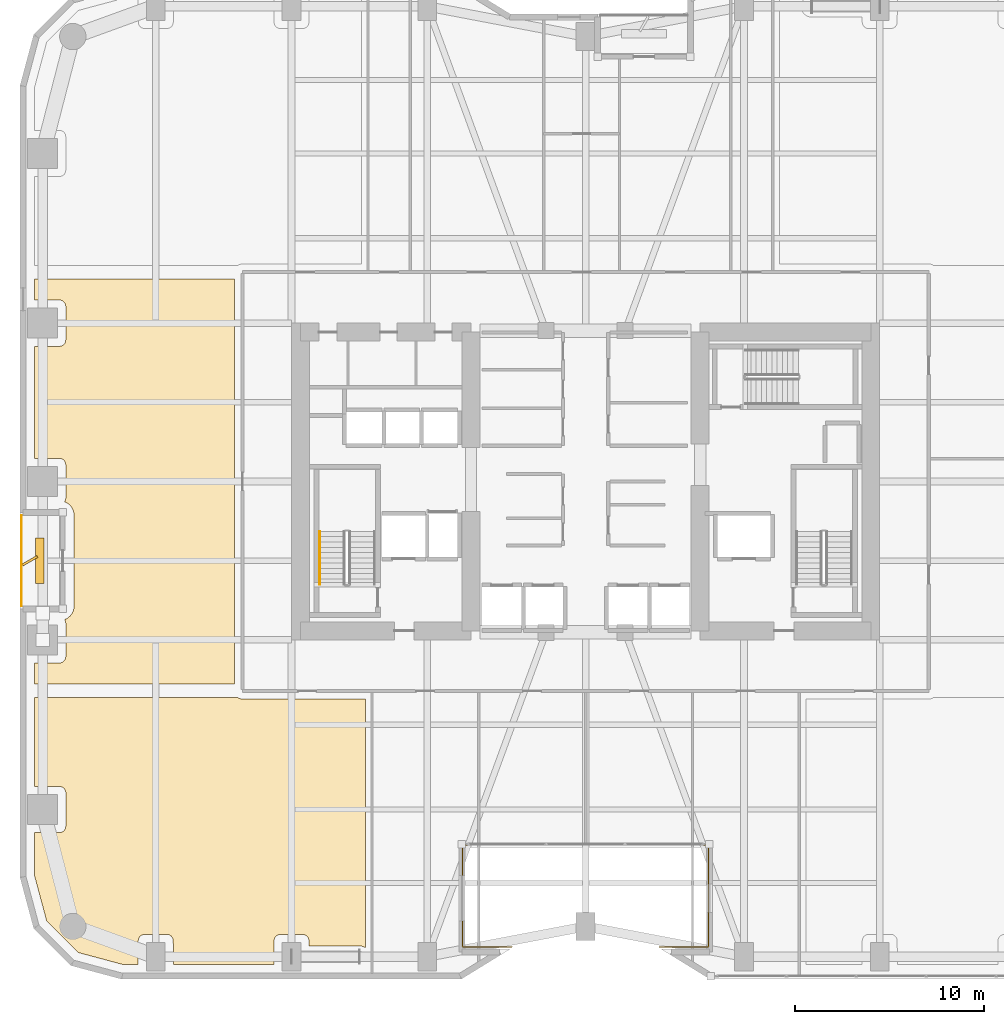
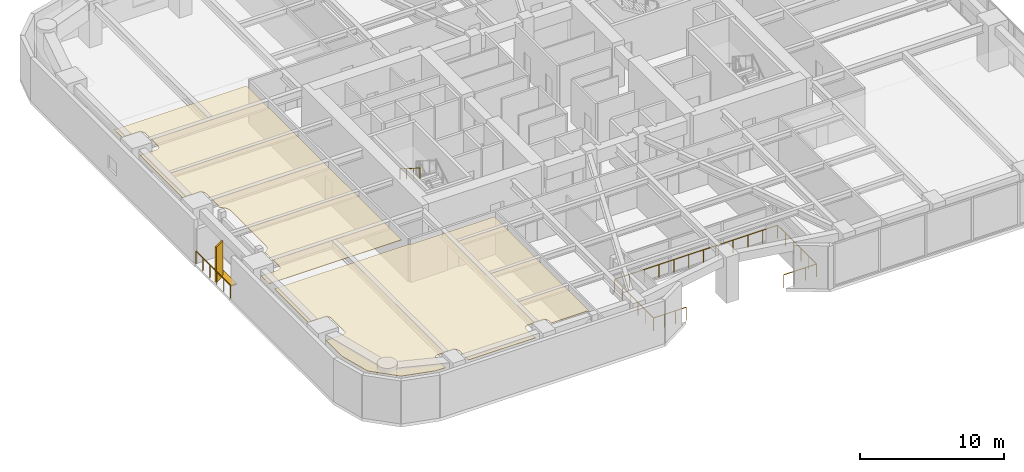
# One storey, part 23 of 26: 3 railings, 2 coverings, 2 shading devices.
"""IFC4 building model written with IfcOpenShell, lengths in metres."""

from ifc_helpers import new_model, si_unit, direction, frame, origin, origin_2d, place, context, subcontext, project, spatial, polyline, rectangle, outline, extrude, material, layer, layer_set, type_object, element, save


model = new_model("IFC4")

# Units and contexts
model_context = context("Model", 3, precision=1e-05, world=origin(), true_north=direction((0.0, 1.0)))
body_context = subcontext(model_context, "Body", "Model", "MODEL_VIEW")
ifc_project = project(units=[si_unit("LENGTHUNIT", "METRE"), si_unit("AREAUNIT", "SQUARE_METRE"), si_unit("VOLUMEUNIT", "CUBIC_METRE"), si_unit("PLANEANGLEUNIT", "RADIAN"), si_unit("MASSUNIT", "GRAM", prefix="KILO")], contexts=[model_context])

# Site, building, storey
site_placement = place(None, origin())
site = spatial("IfcSite", under=ifc_project, at=site_placement, CompositionType="ELEMENT")
building_placement = place(site_placement, origin())
building = spatial("IfcBuilding", under=site, at=building_placement, Name="Kiyonajd Concourse Tower", CompositionType="ELEMENT")
storey_placement = place(building_placement, frame((0.0, 0.0, 72.89990234375)))
storey = spatial("IfcBuildingStorey", under=building, at=storey_placement, Name="L19", CompositionType="ELEMENT", Elevation=72.89990234375)

# Coverings
ifc_material_1 = material(Name="Natural Oak Acoustic Timber Veneer", Category="wood")
ifc_layer = layer(ifc_material_1, 0.0400390625)
ifc_layer_set = layer_set([ifc_layer], Name="Natural Oak Acoustic Timber Veneer")
covering_type = type_object("IfcCoveringType", Name="CV-CLG-ACST", PredefinedType="CEILING", material=ifc_layer_set)
covering_1_placement = place(storey_placement, frame((0.0, 0.0, 3.460205078125)))
element("IfcCovering", 1, at=covering_1_placement, inside=storey, type_object=covering_type, Name="L19-41 Room Acoustic Ceiling", PredefinedType="CEILING", context=body_context, shape_type="SweptSolid", body=[
    extrude(outline(polyline([(19.4140625, 12.697998046875), (18.77001953125, 15.10107421875), (18.77001953125, 17.3701171875), (20.114013671875, 17.3720703125), (20.181884765625, 17.385009765625), (20.2451171875, 17.410888671875), (20.302001953125, 17.448974609375), (20.35107421875, 17.498046875), (20.388916015625, 17.554931640625), (20.4150390625, 17.617919921875), (20.429931640625, 17.719970703125), (20.427978515625, 19.513916015625), (20.403076171875, 19.614013671875), (20.35107421875, 19.701904296875), (20.302001953125, 19.7509765625), (20.2451171875, 19.7890625), (20.14794921875, 19.822998046875), (20.080078125, 19.830078125), (18.77001953125, 19.830078125), (18.77001953125, 24.5400390625), (29.552001953125, 24.5400390625), (29.60693359375, 24.506103515625), (29.669921875, 24.47998046875), (29.800048828125, 24.4599609375), (36.320068359375, 24.4599609375), (36.320068359375, 11.27099609375), (36.27001953125, 11.302001953125), (36.166015625, 11.345947265625), (36.02197265625, 11.368896484375), (33.330078125, 11.3701171875), (33.327880859375, 11.6640625), (33.302978515625, 11.763916015625), (33.27099609375, 11.823974609375), (33.22705078125, 11.876953125), (33.174072265625, 11.9208984375), (33.114013671875, 11.952880859375), (33.048095703125, 11.972900390625), (32.97998046875, 11.97998046875), (31.785888671875, 11.97802734375), (31.68603515625, 11.952880859375), (31.597900390625, 11.90087890625), (31.549072265625, 11.85205078125), (31.510986328125, 11.794921875), (31.47705078125, 11.697998046875), (31.469970703125, 11.6298828125), (31.469970703125, 10.3701171875), (26.1298828125, 10.3701171875), (26.1279296875, 11.6640625), (26.114990234375, 11.73193359375), (26.089111328125, 11.794921875), (26.027099609375, 11.876953125), (25.945068359375, 11.93896484375), (25.882080078125, 11.965087890625), (25.81396484375, 11.97802734375), (24.5859375, 11.97802734375), (24.486083984375, 11.952880859375), (24.39794921875, 11.90087890625), (24.34912109375, 11.85205078125), (24.31103515625, 11.794921875), (24.277099609375, 11.697998046875), (24.27001953125, 11.6298828125), (24.27001953125, 10.3701171875), (23.5009765625, 10.3701171875), (21.097900390625, 11.013916015625), (19.4140625, 12.697998046875)])), origin(), (0.0, 0.0, 1.0), 0.039794921875),
])
covering_2_placement = place(storey_placement, frame((0.0, 0.0, 3.460205078125)))
element("IfcCovering", 2, at=covering_2_placement, inside=storey, type_object=covering_type, Name="L19-55 Room Acoustic Ceiling", PredefinedType="CEILING", context=body_context, shape_type="SweptSolid", body=[
    extrude(outline(polyline([(20.367919921875, 28.678955078125), (20.5, 28.742919921875), (20.572021484375, 28.7919921875), (20.656982421875, 28.867919921875), (20.7080078125, 28.927978515625), (20.757080078125, 29.0), (20.80810546875, 29.095947265625), (20.842041015625, 29.193115234375), (20.864013671875, 29.30810546875), (20.8701171875, 34.199951171875), (20.860107421875, 34.31591796875), (20.842041015625, 34.406982421875), (20.80810546875, 34.50390625), (20.757080078125, 34.60009765625), (20.68505859375, 34.700927734375), (20.60107421875, 34.784912109375), (20.5390625, 34.83203125), (20.367919921875, 34.9208984375), (20.4150390625, 35.01806640625), (20.429931640625, 35.1201171875), (20.429931640625, 36.8798828125), (20.4150390625, 36.98193359375), (20.37109375, 37.073974609375), (20.302001953125, 37.15087890625), (20.2451171875, 37.18896484375), (20.181884765625, 37.215087890625), (20.114013671875, 37.22802734375), (18.77001953125, 37.22998046875), (18.77001953125, 43.169921875), (20.114013671875, 43.172119140625), (20.181884765625, 43.18505859375), (20.2451171875, 43.2109375), (20.302001953125, 43.2490234375), (20.35107421875, 43.298095703125), (20.388916015625, 43.35498046875), (20.4150390625, 43.41796875), (20.429931640625, 43.52001953125), (20.427978515625, 45.31396484375), (20.403076171875, 45.4140625), (20.35107421875, 45.501953125), (20.302001953125, 45.551025390625), (20.2451171875, 45.589111328125), (20.14794921875, 45.623046875), (20.080078125, 45.6298828125), (18.77001953125, 45.6298828125), (18.77001953125, 46.739990234375), (29.3701171875, 46.739990234375), (29.3701171875, 25.260009765625), (18.77001953125, 25.260009765625), (18.77001953125, 26.3701171875), (20.114013671875, 26.3720703125), (20.214111328125, 26.39697265625), (20.302001953125, 26.448974609375), (20.35107421875, 26.498046875), (20.403076171875, 26.5859375), (20.423095703125, 26.652099609375), (20.429931640625, 26.719970703125), (20.429931640625, 28.47998046875), (20.4150390625, 28.58203125), (20.367919921875, 28.678955078125)])), origin(), (0.0, 0.0, 1.0), 0.039794921875),
])

# Railings
ifc_material_2 = material(Name="Thermally Broken Anodised Aluminium", Category="aluminium")
railing_type_1 = type_object("IfcRailingType", Name="RL-BAL-1100", PredefinedType="BALUSTRADE", material=ifc_material_2)
railing_1_placement = place(storey_placement, frame((44.10009765625, 11.320068359375, 0.0)))
element("IfcRailing", 3, at=railing_1_placement, inside=storey, type_object=railing_type_1, Name="L19 South Ribbon Sky Garden Upper Overlook Balustrade", PredefinedType="BALUSTRADE", context=body_context, shape_type="SweptSolid", body=[
    extrude(rectangle(XDim=0.048095703125, YDim=0.048095703125, at=origin_2d()), frame((0.0, 0.0, 1.09619140625), z_axis=(-1.0, 0.0, 0.0), x_axis=(0.0, -1.0, 0.0)), (0.0, 0.0, 1.0), 2.6201171875),
    extrude(rectangle(XDim=0.048095703125, YDim=0.048095703125, at=origin_2d()), frame((-2.6201171875, 0.0, 1.09619140625), z_axis=(0.0, 1.0, 0.0), x_axis=(-1.0, 0.0, 0.0)), (0.0, 0.0, 1.0), 5.39990234375),
    extrude(rectangle(XDim=0.048095703125, YDim=0.048095703125, at=origin_2d()), frame((-2.6201171875, 5.39990234375, 1.09619140625), z_axis=(1.0, 0.0, 0.0), x_axis=(0.0, 1.0, 0.0)), (0.0, 0.0, 1.0), 13.0400390625),
    extrude(rectangle(XDim=0.048095703125, YDim=0.048095703125, at=origin_2d()), frame((10.419921875, 5.39990234375, 1.09619140625), z_axis=(0.0, -1.0, 0.0), x_axis=(1.0, 0.0, 0.0)), (0.0, 0.0, 1.0), 5.39990234375),
    extrude(rectangle(XDim=0.048095703125, YDim=0.048095703125, at=origin_2d()), frame((10.419921875, 0.0, 1.09619140625), z_axis=(-1.0, 0.0, 0.0), x_axis=(0.0, -1.0, 0.0)), (0.0, 0.0, 1.0), 2.6201171875),
    extrude(rectangle(XDim=0.0419921875, YDim=0.0419921875, at=origin_2d()), origin(), (0.0, 0.0, 1.0), 1.072021484375),
    extrude(rectangle(XDim=0.0419921875, YDim=0.0419921875, at=origin_2d()), frame((-0.873291015625, 0.0, 0.0)), (0.0, 0.0, 1.0), 1.072021484375),
    extrude(rectangle(XDim=0.0419921875, YDim=0.0419921875, at=origin_2d()), frame((-1.746826171875, 0.0, 0.0)), (0.0, 0.0, 1.0), 1.072021484375),
    extrude(rectangle(XDim=0.0419921875, YDim=0.0419921875, at=origin_2d()), frame((-2.6201171875, 0.0, 0.0)), (0.0, 0.0, 1.0), 1.072021484375),
    extrude(rectangle(XDim=0.0419921875, YDim=0.0419921875, at=origin_2d()), frame((-2.6201171875, 1.080078125, 0.0)), (0.0, 0.0, 1.0), 1.072021484375),
    extrude(rectangle(XDim=0.0419921875, YDim=0.0419921875, at=origin_2d()), frame((-2.6201171875, 2.159912109375, 0.0)), (0.0, 0.0, 1.0), 1.072021484375),
    extrude(rectangle(XDim=0.0419921875, YDim=0.0419921875, at=origin_2d()), frame((-2.6201171875, 3.239990234375, 0.0)), (0.0, 0.0, 1.0), 1.072021484375),
    extrude(rectangle(XDim=0.0419921875, YDim=0.0419921875, at=origin_2d()), frame((-2.6201171875, 4.31982421875, 0.0)), (0.0, 0.0, 1.0), 1.072021484375),
    extrude(rectangle(XDim=0.0419921875, YDim=0.0419921875, at=origin_2d()), frame((-2.6201171875, 5.39990234375, 0.0)), (0.0, 0.0, 1.0), 1.072021484375),
    extrude(rectangle(XDim=0.0419921875, YDim=0.0419921875, at=origin_2d()), frame((-1.4345703125, 5.39990234375, 0.0)), (0.0, 0.0, 1.0), 1.072021484375),
    extrude(rectangle(XDim=0.0419921875, YDim=0.0419921875, at=origin_2d()), frame((-0.249267578125, 5.39990234375, 0.0)), (0.0, 0.0, 1.0), 1.072021484375),
    extrude(rectangle(XDim=0.0419921875, YDim=0.0419921875, at=origin_2d()), frame((0.936279296875, 5.39990234375, 0.0)), (0.0, 0.0, 1.0), 1.072021484375),
    extrude(rectangle(XDim=0.0419921875, YDim=0.0419921875, at=origin_2d()), frame((2.121826171875, 5.39990234375, 0.0)), (0.0, 0.0, 1.0), 1.072021484375),
    extrude(rectangle(XDim=0.0419921875, YDim=0.0419921875, at=origin_2d()), frame((3.30712890625, 5.39990234375, 0.0)), (0.0, 0.0, 1.0), 1.072021484375),
    extrude(rectangle(XDim=0.0419921875, YDim=0.0419921875, at=origin_2d()), frame((4.49267578125, 5.39990234375, 0.0)), (0.0, 0.0, 1.0), 1.072021484375),
    extrude(rectangle(XDim=0.0419921875, YDim=0.0419921875, at=origin_2d()), frame((5.677978515625, 5.39990234375, 0.0)), (0.0, 0.0, 1.0), 1.072021484375),
    extrude(rectangle(XDim=0.0419921875, YDim=0.0419921875, at=origin_2d()), frame((6.863525390625, 5.39990234375, 0.0)), (0.0, 0.0, 1.0), 1.072021484375),
    extrude(rectangle(XDim=0.0419921875, YDim=0.0419921875, at=origin_2d()), frame((8.049072265625, 5.39990234375, 0.0)), (0.0, 0.0, 1.0), 1.072021484375),
    extrude(rectangle(XDim=0.0419921875, YDim=0.0419921875, at=origin_2d()), frame((9.234375, 5.39990234375, 0.0)), (0.0, 0.0, 1.0), 1.072021484375),
    extrude(rectangle(XDim=0.0419921875, YDim=0.0419921875, at=origin_2d()), frame((10.419921875, 5.39990234375, 0.0)), (0.0, 0.0, 1.0), 1.072021484375),
    extrude(rectangle(XDim=0.0419921875, YDim=0.0419921875, at=origin_2d()), frame((10.419921875, 4.31982421875, 0.0)), (0.0, 0.0, 1.0), 1.072021484375),
    extrude(rectangle(XDim=0.0419921875, YDim=0.0419921875, at=origin_2d()), frame((10.419921875, 3.239990234375, 0.0)), (0.0, 0.0, 1.0), 1.072021484375),
    extrude(rectangle(XDim=0.0419921875, YDim=0.0419921875, at=origin_2d()), frame((10.419921875, 2.159912109375, 0.0)), (0.0, 0.0, 1.0), 1.072021484375),
    extrude(rectangle(XDim=0.0419921875, YDim=0.0419921875, at=origin_2d()), frame((10.419921875, 1.080078125, 0.0)), (0.0, 0.0, 1.0), 1.072021484375),
    extrude(rectangle(XDim=0.0419921875, YDim=0.0419921875, at=origin_2d()), frame((10.419921875, 0.0, 0.0)), (0.0, 0.0, 1.0), 1.072021484375),
    extrude(rectangle(XDim=0.0419921875, YDim=0.0419921875, at=origin_2d()), frame((9.546630859375, 0.0, 0.0)), (0.0, 0.0, 1.0), 1.072021484375),
    extrude(rectangle(XDim=0.0419921875, YDim=0.0419921875, at=origin_2d()), frame((8.673095703125, 0.0, 0.0)), (0.0, 0.0, 1.0), 1.072021484375),
    extrude(rectangle(XDim=0.0419921875, YDim=0.0419921875, at=origin_2d()), frame((7.7998046875, 0.0, 0.0)), (0.0, 0.0, 1.0), 1.072021484375),
])
railing_type_2 = type_object("IfcRailingType", Name="RL-GRD-LOG", PredefinedType="GUARDRAIL", material=ifc_material_2)
railing_2_placement = place(storey_placement, frame((18.080078125, 34.199951171875, 0.0)))
element("IfcRailing", 4, at=railing_2_placement, inside=storey, type_object=railing_type_2, Name="L19 Engawa Loggia Perimeter Guard LOG-W", PredefinedType="GUARDRAIL", context=body_context, shape_type="SweptSolid", body=[
    extrude(rectangle(XDim=0.048095703125, YDim=0.048095703125, at=origin_2d()), frame((0.0, 0.0, 1.076171875), z_axis=(0.0, -1.0, 0.0), x_axis=(1.0, 0.0, 0.0)), (0.0, 0.0, 1.0), 4.800048828125),
    extrude(rectangle(XDim=0.0419921875, YDim=0.0419921875, at=origin_2d()), origin(), (0.0, 0.0, 1.0), 1.052001953125),
    extrude(rectangle(XDim=0.0419921875, YDim=0.0419921875, at=origin_2d()), frame((0.0, -0.9599609375, 0.0)), (0.0, 0.0, 1.0), 1.052001953125),
    extrude(rectangle(XDim=0.0419921875, YDim=0.0419921875, at=origin_2d()), frame((0.0, -1.919921875, 0.0)), (0.0, 0.0, 1.0), 1.052001953125),
    extrude(rectangle(XDim=0.0419921875, YDim=0.0419921875, at=origin_2d()), frame((0.0, -2.880126953125, 0.0)), (0.0, 0.0, 1.0), 1.052001953125),
    extrude(rectangle(XDim=0.0419921875, YDim=0.0419921875, at=origin_2d()), frame((0.0, -3.840087890625, 0.0)), (0.0, 0.0, 1.0), 1.052001953125),
    extrude(rectangle(XDim=0.0419921875, YDim=0.0419921875, at=origin_2d()), frame((0.0, -4.800048828125, 0.0)), (0.0, 0.0, 1.0), 1.052001953125),
])
ifc_material_3 = material(Name="Brushed Stainless Steel Cab Assembly", Category="steel")
railing_type_3 = type_object("IfcRailingType", Name="RL-HND-900", PredefinedType="HANDRAIL", material=ifc_material_3)
railing_3_placement = place(storey_placement, frame((33.89990234375, 33.35009765625, 2.12744140625)))
element("IfcRailing", 5, at=railing_3_placement, inside=storey, type_object=railing_type_3, Name="L19 ST1 stair handrail 2", PredefinedType="HANDRAIL", context=body_context, shape_type="SweptSolid", body=[
    extrude(rectangle(XDim=0.048095703125, YDim=0.048095703125, at=origin_2d()), frame((0.0, 0.0, 0.8759765625), z_axis=(0.0, -0.844908973607, 0.534910110503), x_axis=(1.0, 0.0, 0.0)), (0.0, 0.0, 1.0), 3.31396484375),
    extrude(rectangle(XDim=0.0419921875, YDim=0.0419921875, at=origin_2d()), origin(), (0.0, 0.0, 1.0), 0.851806640625),
    extrude(rectangle(XDim=0.0419921875, YDim=0.0419921875, at=origin_2d()), frame((0.0, -0.933349609375, 0.5908203125)), (0.0, 0.0, 1.0), 0.851806640625),
    extrude(rectangle(XDim=0.0419921875, YDim=0.0419921875, at=origin_2d()), frame((0.0, -1.86669921875, 1.181884765625)), (0.0, 0.0, 1.0), 0.851806640625),
    extrude(rectangle(XDim=0.0419921875, YDim=0.0419921875, at=origin_2d()), frame((0.0, -2.800048828125, 1.772705078125)), (0.0, 0.0, 1.0), 0.851806640625),
])

# Shading devices
ifc_material_4 = material(Name="Precast concrete C50/60", Category="concrete")
shading_device_type_1 = type_object("IfcShadingDeviceType", Name="SH-FIN-900", PredefinedType="USERDEFINED", material=ifc_material_4)
shading_device_1_placement = place(storey_placement, frame((18.530029296875, 31.800048828125, 0.0), z_axis=(0.0, 0.0, 1.0), x_axis=(0.866025403784, 0.5, 0.0)))
element("IfcShadingDevice", 6, at=shading_device_1_placement, inside=storey, type_object=shading_device_type_1, Name="L19 Angled Koshi Solar Fin LOG-W", ObjectType="FIN", PredefinedType="USERDEFINED", context=body_context, shape_type="SweptSolid", body=[
    extrude(rectangle(XDim=0.89990234375, YDim=0.1201171875, at=origin_2d()), origin(), (0.0, 0.0, 1.0), 3.0),
])
shading_device_type_2 = type_object("IfcShadingDeviceType", Name="SH-LVR-600", PredefinedType="JALOUSIE", material=ifc_material_2)
shading_device_2_placement = place(storey_placement, frame((19.050048828125, 31.800048828125, 0.0), z_axis=(0.0, 0.0, 1.0), x_axis=(0.0, 1.0, 0.0)))
element("IfcShadingDevice", 7, at=shading_device_2_placement, inside=storey, type_object=shading_device_type_2, Name="L19 Loggia Threshold Louver LOG-W", PredefinedType="JALOUSIE", context=body_context, shape_type="SweptSolid", body=[
    extrude(rectangle(XDim=2.39990234375, YDim=0.449951171875, at=origin_2d()), origin(), (0.0, 0.0, 1.0), 0.10009765625),
])

save(model, "model.ifc")
